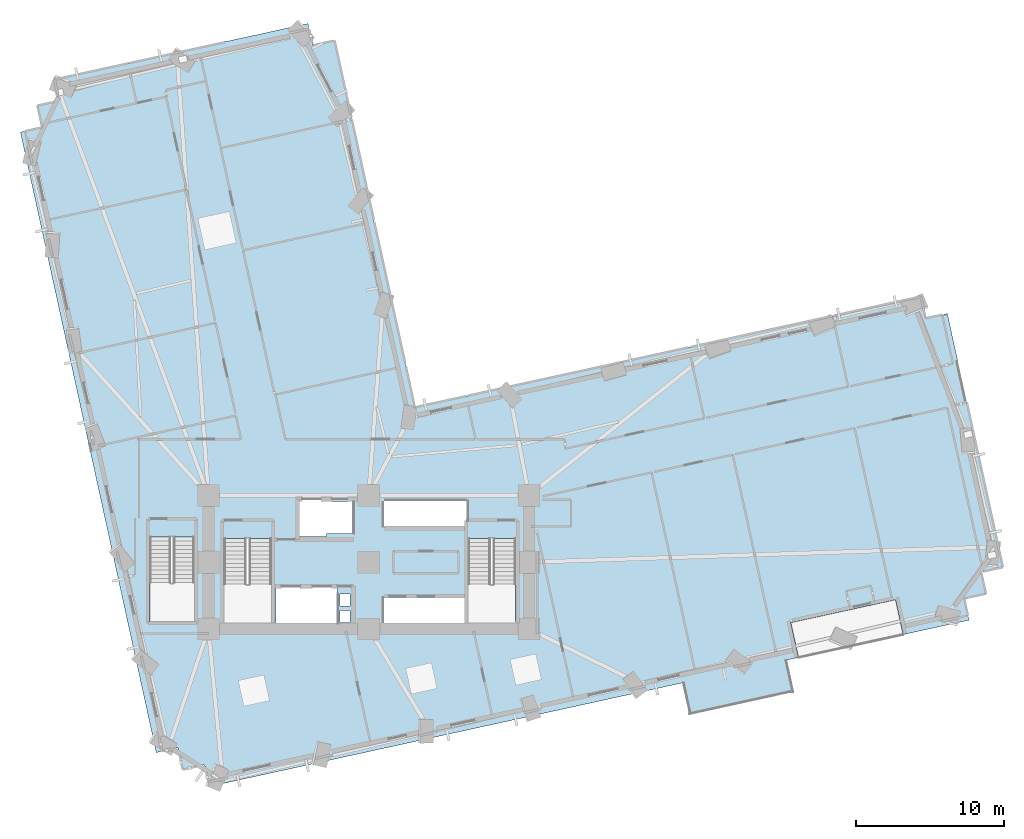
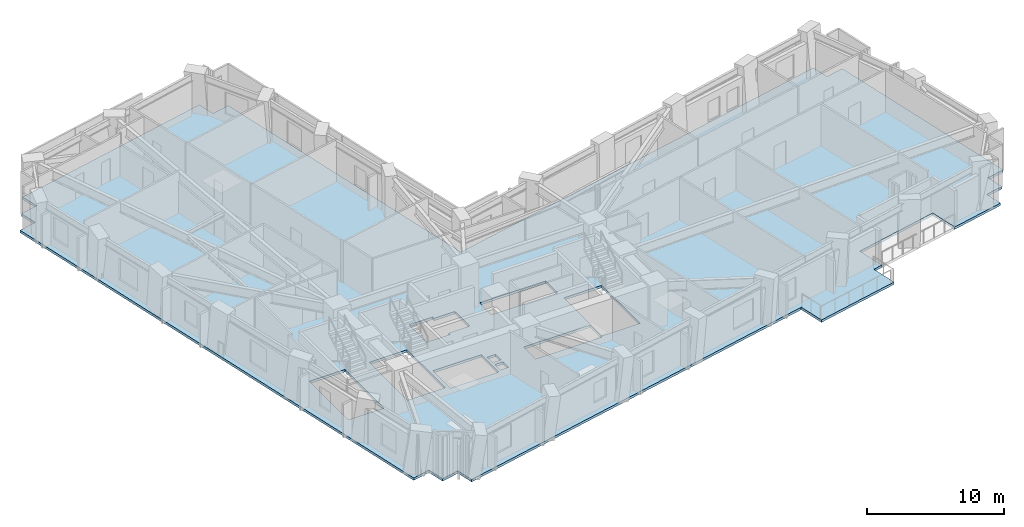
# One storey, part 4 of 14: 1 slab.
"""IFC4 building model written with IfcOpenShell, lengths in metres."""

from ifc_helpers import new_model, si_unit, direction, frame, origin, place, context, subcontext, project, spatial, polyline, outline, extrude, material, layer, layer_set, type_object, element, save


model = new_model("IFC4")

# Units and contexts
model_context = context("Model", 3, precision=1e-05, world=origin(), true_north=direction((0.0, 1.0)))
body_context = subcontext(model_context, "Body", "Model", "MODEL_VIEW")
ifc_project = project(units=[si_unit("LENGTHUNIT", "METRE"), si_unit("AREAUNIT", "SQUARE_METRE"), si_unit("VOLUMEUNIT", "CUBIC_METRE"), si_unit("PLANEANGLEUNIT", "RADIAN"), si_unit("MASSUNIT", "GRAM", prefix="KILO")], contexts=[model_context])

# Site, building, storey
site_placement = place(None, origin())
site = spatial("IfcSite", under=ifc_project, at=site_placement, CompositionType="ELEMENT")
building_placement = place(site_placement, origin())
building = spatial("IfcBuilding", under=site, at=building_placement, Name="Gaonmaruhae Medical Tower", CompositionType="ELEMENT")
storey_placement = place(building_placement, frame((0.0, 0.0, 75.0)))
storey = spatial("IfcBuildingStorey", under=building, at=storey_placement, Name="L17", CompositionType="ELEMENT", Elevation=75.0)

# Slab
ifc_material = material(Name="Concrete C40/50", Category="concrete")
ifc_layer = layer(ifc_material, 0.219970703125)
ifc_layer_set = layer_set([ifc_layer], Name="Concrete C40/50")
slab_type = type_object("IfcSlabType", Name="FS-220 Clinical Ward Composite Floor Slab", PredefinedType="FLOOR", material=ifc_layer_set)
slab_placement = place(storey_placement, frame((0.0, 0.0, -0.219970703125)))
element("IfcSlab", 1, at=slab_placement, inside=storey, type_object=slab_type, Name="L17 Structural Slab 1", PredefinedType="FLOOR", context=body_context, shape_type="SweptSolid", body=[
    extrude(outline(polyline([(13.734130859375, -1.354248046875), (12.268798828125, -1.675048828125), (11.947998046875, -0.209716796875), (10.48291015625, -0.530517578125), (1.32861328125, 41.279052734375), (2.7939453125, 41.599853515625), (2.47314453125, 43.065185546875), (3.9384765625, 43.385986328125), (3.61767578125, 44.851318359375), (20.712646484375, 48.59423828125), (21.033447265625, 47.12890625), (22.498779296875, 47.44970703125), (27.909912109375, 22.735107421875), (62.002197265625, 30.19970703125), (62.3232421875, 28.734375), (63.78857421875, 29.055419921875), (67.531494140625, 11.960205078125), (66.066162109375, 11.639404296875), (66.386962890625, 10.174072265625), (64.921630859375, 9.853271484375), (65.242431640625, 8.387939453125), (60.80078125, 7.41552734375), (60.287353515625, 9.760009765625), (53.25390625, 8.219970703125), (53.767333984375, 5.87548828125), (52.98583984375, 5.704345703125), (53.456298828125, 3.555419921875), (46.423095703125, 2.015380859375), (45.952392578125, 4.16455078125), (14.054931640625, -2.819580078125), (13.734130859375, -1.354248046875)]), holes=[polyline([(23.550048828125, 8.25), (22.85009765625, 8.25), (22.85009765625, 9.050048828125), (23.550048828125, 9.050048828125), (23.550048828125, 8.25)]), polyline([(25.824951171875, 9.925048828125), (31.425048828125, 9.925048828125), (31.425048828125, 8.175048828125), (25.824951171875, 8.175048828125), (25.824951171875, 9.925048828125)]), polyline([(22.64990234375, 10.625), (22.64990234375, 8.074951171875), (18.550048828125, 8.074951171875), (18.550048828125, 10.625), (22.64990234375, 10.625)]), polyline([(23.550048828125, 9.35009765625), (22.85009765625, 9.35009765625), (22.85009765625, 10.14990234375), (23.550048828125, 10.14990234375), (23.550048828125, 9.35009765625)]), polyline([(15.050048828125, 13.889892578125), (18.25, 13.889892578125), (18.25, 8.300048828125), (15.050048828125, 8.300048828125), (15.050048828125, 13.889892578125)]), polyline([(31.5, 13.889892578125), (34.699951171875, 13.889892578125), (34.699951171875, 8.300048828125), (31.5, 8.300048828125), (31.5, 13.889892578125)]), polyline([(10.050048828125, 13.989990234375), (13.050048828125, 13.989990234375), (13.050048828125, 8.300048828125), (10.050048828125, 8.300048828125), (10.050048828125, 13.989990234375)]), polyline([(21.949951171875, 14.02490234375), (19.949951171875, 14.02490234375), (19.949951171875, 16.574951171875), (21.949951171875, 16.574951171875), (21.949951171875, 16.375), (23.72509765625, 16.375), (23.72509765625, 14.22509765625), (21.949951171875, 14.22509765625), (21.949951171875, 14.02490234375)]), polyline([(31.425048828125, 16.425048828125), (31.425048828125, 14.675048828125), (25.824951171875, 14.675048828125), (25.824951171875, 16.425048828125), (31.425048828125, 16.425048828125)])]), origin(), (0.0, 0.0, 1.0), 0.219970703125),
])

save(model, "model.ifc")
